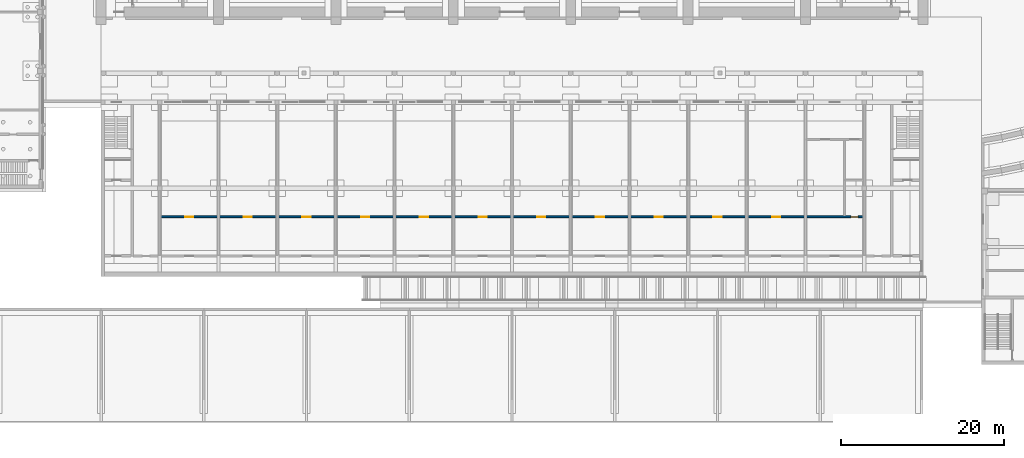
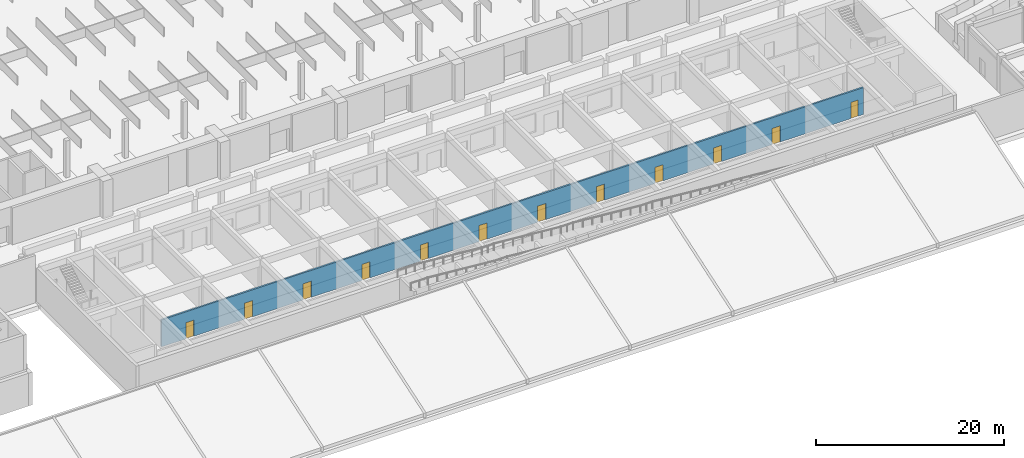
# One storey, part 34 of 73: 12 doors, 1 wall, 12 openings.
"""IFC4 building model written with IfcOpenShell, lengths in metres."""

import ifcopenshell
import ifcopenshell.guid

model = None  # the IFC model being written
_history = None  # IfcOwnerHistory: only IFC2X3 demands one
_inside = {}  # id of a spatial element -> (the spatial element, [elements in it])
_under = {}  # id of a project, library or spatial element -> (it, [spatial elements below it])
_declared = {}  # id of a project -> (the project, [libraries it declares])
_typed = {}  # id of a type object -> (the type object, [elements of that type])
_made_of = {}  # id of a material, layer set ... -> (it, [elements and type objects made of it])


def new_model(schema):
    """Start an empty IFC model of exactly this schema.

    Asked for "IFC4X3", IfcOpenShell would pick the latest addendum, in which some entities
    have other attributes; the version numbers below select the first issue.
    IFC2X3 requires an IfcOwnerHistory on every rooted entity: one is made here for all.
    """
    global model, _history
    if schema == "IFC4X3":
        model = ifcopenshell.file(schema_version=(4, 3, 0, 0))
    else:
        model = ifcopenshell.file(schema=schema)
    _inside.clear()
    _under.clear()
    _declared.clear()
    _typed.clear()
    _made_of.clear()
    _history = None
    if model.schema == "IFC2X3":
        org = make("IfcOrganization", Name="unknown")
        user = make(
            "IfcPersonAndOrganization",
            ThePerson=make("IfcPerson", FamilyName="unknown"),
            TheOrganization=org,
        )
        app = make(
            "IfcApplication",
            ApplicationDeveloper=org,
            Version="unknown",
            ApplicationFullName="unknown",
            ApplicationIdentifier="unknown",
        )
        _history = make(
            "IfcOwnerHistory",
            OwningUser=user,
            OwningApplication=app,
            ChangeAction="ADDED",
            CreationDate=0,
        )
    return model


def make(cls, **values):
    """One entity of the class cls with the attributes given. An attribute that is None is left unset."""
    return model.create_entity(
        cls, **{name: value for name, value in values.items() if value is not None}
    )


def rooted(cls, **values):
    """An entity with a GlobalId (a new one), such as an element, a storey or a relation."""
    return make(cls, GlobalId=ifcopenshell.guid.new(), OwnerHistory=_history, **values)


def si_unit(unit_type, name, prefix=None):
    """IfcSIUnit, for example si_unit("LENGTHUNIT", "METRE", prefix="MILLI")."""
    return make("IfcSIUnit", UnitType=unit_type, Prefix=prefix, Name=name)


def assignment(units):
    """IfcUnitAssignment: the units of a project."""
    return None if units is None else make("IfcUnitAssignment", Units=units)


def point(xyz):
    """IfcCartesianPoint."""
    return None if xyz is None else make("IfcCartesianPoint", Coordinates=xyz)


def direction(xyz):
    """IfcDirection."""
    return None if xyz is None else make("IfcDirection", DirectionRatios=xyz)


def frame(location, z_axis=None, x_axis=None):
    """IfcAxis2Placement3D, a coordinate frame: its origin and axes. An axis left out is left unset."""
    return make(
        "IfcAxis2Placement3D",
        Location=point(location),
        Axis=direction(z_axis),
        RefDirection=direction(x_axis),
    )


def frame_2d(location, x_axis=None):
    """IfcAxis2Placement2D, a coordinate frame in the plane: its origin and x axis."""
    return make(
        "IfcAxis2Placement2D", Location=point(location), RefDirection=direction(x_axis)
    )


def origin():
    """The frame at (0, 0, 0) with its axes left unset."""
    return frame((0.0, 0.0, 0.0))


def place(relative_to, where):
    """IfcLocalPlacement: puts the frame where relative to a parent placement (None: the world)."""
    return make(
        "IfcLocalPlacement", PlacementRelTo=relative_to, RelativePlacement=where
    )


def context(
    kind, dimensions, precision=None, world=None, true_north=None, identifier=None
):
    """IfcGeometricRepresentationContext, for example the 3D "Model" context."""
    return make(
        "IfcGeometricRepresentationContext",
        ContextIdentifier=identifier,
        ContextType=kind,
        CoordinateSpaceDimension=dimensions,
        Precision=precision,
        WorldCoordinateSystem=world,
        TrueNorth=true_north,
    )


def subcontext(parent, identifier, kind, view, scale=None):
    """IfcGeometricRepresentationSubContext, for example "Body" below "Model"."""
    return make(
        "IfcGeometricRepresentationSubContext",
        ContextIdentifier=identifier,
        ContextType=kind,
        ParentContext=parent,
        TargetScale=scale,
        TargetView=view,
    )


def project(units=None, contexts=None):
    """IfcProject with its units and contexts."""
    return rooted(
        "IfcProject",
        Name="project",
        RepresentationContexts=contexts,
        UnitsInContext=assignment(units),
    )


def spatial(cls, under=None, at=None, **own):
    """A site, building, storey or space (cls), placed at a placement, below another one or the project."""
    s = rooted(cls, ObjectPlacement=at, **own)
    if under is not None:
        _under.setdefault(under.id(), (under, []))[1].append(s)
    return s


def profile(cls, at=None, kind="AREA", **sizes):
    """A parametric profile (cls). Its sizes go by their IFC names, for example OverallWidth=200.0."""
    return make(cls, ProfileType=kind, Position=at, **sizes)


def rectangle(**sizes):
    """IfcRectangleProfileDef."""
    return profile("IfcRectangleProfileDef", **sizes)


def extrude(swept, where, along, depth):
    """IfcExtrudedAreaSolid: the profile swept, set in the frame where, extruded along a direction by depth."""
    return make(
        "IfcExtrudedAreaSolid",
        SweptArea=swept,
        Position=where,
        ExtrudedDirection=direction(along),
        Depth=depth,
    )


def shape(context_of_items, identifier, shape_type, items):
    """IfcShapeRepresentation: the items that make up one representation, for example the "Body"."""
    return make(
        "IfcShapeRepresentation",
        ContextOfItems=context_of_items,
        RepresentationIdentifier=identifier,
        RepresentationType=shape_type,
        Items=items,
    )


def material(Name=None, Category=None):
    """IfcMaterial."""
    return make("IfcMaterial", Name=Name, Category=Category)


def layer(
    of_material, thickness, ventilated=None, Name=None, Category=None, Priority=None
):
    """IfcMaterialLayer: one layer of a wall or slab, of a material (None: an air gap)."""
    return make(
        "IfcMaterialLayer",
        Material=of_material,
        LayerThickness=thickness,
        IsVentilated=ventilated,
        Name=Name,
        Category=Category,
        Priority=Priority,
    )


def layer_set(layers, Name=None):
    """IfcMaterialLayerSet."""
    return make("IfcMaterialLayerSet", MaterialLayers=layers, LayerSetName=Name)


def made_of(thing, what):
    """Note that an element or type object is made of a material, layer set ...; save() writes the relation."""
    if what is not None:
        _made_of.setdefault(what.id(), (what, []))[1].append(thing)
    return thing


def type_object(cls, material=None, **own):
    """A type object (cls), such as IfcWallType, which elements share."""
    return made_of(rooted(cls, **own), material)


def element(
    cls,
    number,
    at=None,
    inside=None,
    cuts=None,
    type_object=None,
    material=None,
    context=None,
    identifier="Body",
    shape_type=None,
    held_by="IfcProductDefinitionShape",
    body=None,
    shapes=None,
    **own,
):
    """One element of the class cls, such as IfcWall. Its Tag is "e" and its number.

    at: its placement. inside: the storey or other place that contains it. cuts: it is an
    opening in that element (IfcRelVoidsElement). A single representation is given by context,
    identifier, shape_type and body (its items); several are given by shapes. held_by: the class
    of the entity that holds the representations. save() writes the other relations.
    """
    e = rooted(cls, Tag="e%d" % number, ObjectPlacement=at, **own)
    if body is not None:
        shapes = [shape(context, identifier, shape_type, body)]
    if shapes is not None:
        e.Representation = make(held_by, Representations=shapes)
    if inside is not None:
        _inside.setdefault(inside.id(), (inside, []))[1].append(e)
    if cuts is not None:
        rooted(
            "IfcRelVoidsElement", RelatingBuildingElement=cuts, RelatedOpeningElement=e
        )
    if type_object is not None:
        _typed.setdefault(type_object.id(), (type_object, []))[1].append(e)
    return made_of(e, material)


def fill(opening, filler):
    """IfcRelFillsElement: the door or window that sits in an opening."""
    return rooted(
        "IfcRelFillsElement",
        RelatingOpeningElement=opening,
        RelatedBuildingElement=filler,
    )


def aggregate(whole, parts):
    """IfcRelAggregates: a whole, such as a stair, and the parts it consists of."""
    return rooted("IfcRelAggregates", RelatingObject=whole, RelatedObjects=parts)


def save(model, path):
    """Write the relations noted so far, then the file.

    IfcRelAggregates (storeys below a building ...), IfcRelContainedInSpatialStructure (elements
    in a storey), IfcRelDefinesByType, IfcRelAssociatesMaterial and IfcRelDeclares: one each for
    every whole, place, type object, material and project.
    """
    for whole, parts in _under.values():
        aggregate(whole, parts)
    for where, things in _inside.values():
        rooted(
            "IfcRelContainedInSpatialStructure",
            RelatedElements=things,
            RelatingStructure=where,
        )
    for kind, things in _typed.values():
        rooted("IfcRelDefinesByType", RelatedObjects=things, RelatingType=kind)
    for what, things in _made_of.values():
        rooted("IfcRelAssociatesMaterial", RelatedObjects=things, RelatingMaterial=what)
    for by, libraries in _declared.values():
        rooted("IfcRelDeclares", RelatingContext=by, RelatedDefinitions=libraries)
    model.write(path)


model = new_model("IFC4")

# Units and contexts
model_context = context("Model", 3, precision=1e-05, world=origin(), true_north=direction((0.0, 1.0)))
body_context = subcontext(model_context, "Body", "Model", "MODEL_VIEW")
ifc_project = project(units=[si_unit("LENGTHUNIT", "METRE"), si_unit("AREAUNIT", "SQUARE_METRE"), si_unit("VOLUMEUNIT", "CUBIC_METRE"), si_unit("PLANEANGLEUNIT", "RADIAN"), si_unit("MASSUNIT", "GRAM", prefix="KILO")], contexts=[model_context])

# Site, building, storey
site_placement = place(None, origin())
site = spatial("IfcSite", under=ifc_project, at=site_placement, CompositionType="ELEMENT")
building_placement = place(site_placement, origin())
building = spatial("IfcBuilding", under=site, at=building_placement, Name="Alderwick Market Hall", CompositionType="ELEMENT")
storey_placement = place(building_placement, origin())
storey = spatial("IfcBuildingStorey", under=building, at=storey_placement, Name="LG", CompositionType="ELEMENT", Elevation=0.0)

# Wall, openings, doors
ifc_material_1 = material(Name="Concrete masonry 3000 psi", Category="masonry")
ifc_layer = layer(ifc_material_1, 0.199951171875)
ifc_layer_set = layer_set([ifc_layer], Name="Concrete masonry 3000 psi")
wall_type = type_object("IfcWallType", Name="A Masonry Partition 200", PredefinedType="PARTITIONING", material=ifc_layer_set)
wall_placement = place(storey_placement, frame((57.699951171875, 25.300048828125, 0.0), z_axis=(0.0, 0.0, 1.0), x_axis=(1.0, 0.0, 0.0)))
wall = element("IfcWall", 1, at=wall_placement, inside=storey, type_object=wall_type, Name="A.S.wall.004", PredefinedType="PARTITIONING", context=body_context, shape_type="SweptSolid", body=[
    extrude(rectangle(XDim=86.199951171875, YDim=0.199951171875, at=frame_2d((43.10009765625, 0.0))), origin(), (0.0, 0.0, 1.0), 3.5),
])
opening_1_placement = place(wall_placement, frame((3.0, 0.0, 0.0)))
opening_1 = element("IfcOpeningElement", 2, at=opening_1_placement, cuts=wall, Name="Opening A-D067", PredefinedType="OPENING", context=body_context, shape_type="SweptSolid", body=[
    extrude(rectangle(XDim=1.0, YDim=2.10009765625, at=frame_2d((0.5, 1.050048828125))), frame((0.0, 0.10986328125, 0.0), z_axis=(0.0, -1.0, 0.0), x_axis=(1.0, 0.0, 0.0)), (0.0, 0.0, 1.0), 0.219970703125),
])
opening_2_placement = place(wall_placement, frame((10.199951171875, 0.0, 0.0)))
opening_2 = element("IfcOpeningElement", 3, at=opening_2_placement, cuts=wall, Name="Opening A-D069", PredefinedType="OPENING", context=body_context, shape_type="SweptSolid", body=[
    extrude(rectangle(XDim=1.0, YDim=2.10009765625, at=frame_2d((0.5, 1.050048828125))), frame((0.0, 0.10986328125, 0.0), z_axis=(0.0, -1.0, 0.0), x_axis=(1.0, 0.0, 0.0)), (0.0, 0.0, 1.0), 0.219970703125),
])
opening_3_placement = place(wall_placement, frame((17.39990234375, 0.0, 0.0)))
opening_3 = element("IfcOpeningElement", 4, at=opening_3_placement, cuts=wall, Name="Opening A-D071", PredefinedType="OPENING", context=body_context, shape_type="SweptSolid", body=[
    extrude(rectangle(XDim=1.0, YDim=2.10009765625, at=frame_2d((0.5, 1.050048828125))), frame((0.0, 0.10986328125, 0.0), z_axis=(0.0, -1.0, 0.0), x_axis=(1.0, 0.0, 0.0)), (0.0, 0.0, 1.0), 0.219970703125),
])
opening_4_placement = place(wall_placement, frame((24.60009765625, 0.0, 0.0)))
opening_4 = element("IfcOpeningElement", 5, at=opening_4_placement, cuts=wall, Name="Opening A-D073", PredefinedType="OPENING", context=body_context, shape_type="SweptSolid", body=[
    extrude(rectangle(XDim=1.0, YDim=2.10009765625, at=frame_2d((0.5, 1.050048828125))), frame((0.0, 0.10986328125, 0.0), z_axis=(0.0, -1.0, 0.0), x_axis=(1.0, 0.0, 0.0)), (0.0, 0.0, 1.0), 0.219970703125),
])
opening_5_placement = place(wall_placement, frame((31.800048828125, 0.0, 0.0)))
opening_5 = element("IfcOpeningElement", 6, at=opening_5_placement, cuts=wall, Name="Opening A-D075", PredefinedType="OPENING", context=body_context, shape_type="SweptSolid", body=[
    extrude(rectangle(XDim=1.0, YDim=2.10009765625, at=frame_2d((0.5, 1.050048828125))), frame((0.0, 0.10986328125, 0.0), z_axis=(0.0, -1.0, 0.0), x_axis=(1.0, 0.0, 0.0)), (0.0, 0.0, 1.0), 0.219970703125),
])
opening_6_placement = place(wall_placement, frame((39.0, 0.0, 0.0)))
opening_6 = element("IfcOpeningElement", 7, at=opening_6_placement, cuts=wall, Name="Opening A-D077", PredefinedType="OPENING", context=body_context, shape_type="SweptSolid", body=[
    extrude(rectangle(XDim=1.0, YDim=2.10009765625, at=frame_2d((0.5, 1.050048828125))), frame((0.0, 0.10986328125, 0.0), z_axis=(0.0, -1.0, 0.0), x_axis=(1.0, 0.0, 0.0)), (0.0, 0.0, 1.0), 0.219970703125),
])
opening_7_placement = place(wall_placement, frame((46.199951171875, 0.0, 0.0)))
opening_7 = element("IfcOpeningElement", 8, at=opening_7_placement, cuts=wall, Name="Opening A-D079", PredefinedType="OPENING", context=body_context, shape_type="SweptSolid", body=[
    extrude(rectangle(XDim=1.0, YDim=2.10009765625, at=frame_2d((0.5, 1.050048828125))), frame((0.0, 0.10986328125, 0.0), z_axis=(0.0, -1.0, 0.0), x_axis=(1.0, 0.0, 0.0)), (0.0, 0.0, 1.0), 0.219970703125),
])
opening_8_placement = place(wall_placement, frame((53.39990234375, 0.0, 0.0)))
opening_8 = element("IfcOpeningElement", 9, at=opening_8_placement, cuts=wall, Name="Opening A-D081", PredefinedType="OPENING", context=body_context, shape_type="SweptSolid", body=[
    extrude(rectangle(XDim=1.0, YDim=2.10009765625, at=frame_2d((0.5, 1.050048828125))), frame((0.0, 0.10986328125, 0.0), z_axis=(0.0, -1.0, 0.0), x_axis=(1.0, 0.0, 0.0)), (0.0, 0.0, 1.0), 0.219970703125),
])
opening_9_placement = place(wall_placement, frame((60.60009765625, 0.0, 0.0)))
opening_9 = element("IfcOpeningElement", 10, at=opening_9_placement, cuts=wall, Name="Opening A-D083", PredefinedType="OPENING", context=body_context, shape_type="SweptSolid", body=[
    extrude(rectangle(XDim=1.0, YDim=2.10009765625, at=frame_2d((0.5, 1.050048828125))), frame((0.0, 0.10986328125, 0.0), z_axis=(0.0, -1.0, 0.0), x_axis=(1.0, 0.0, 0.0)), (0.0, 0.0, 1.0), 0.219970703125),
])
opening_10_placement = place(wall_placement, frame((67.800048828125, 0.0, 0.0)))
opening_10 = element("IfcOpeningElement", 11, at=opening_10_placement, cuts=wall, Name="Opening A-D085", PredefinedType="OPENING", context=body_context, shape_type="SweptSolid", body=[
    extrude(rectangle(XDim=1.0, YDim=2.10009765625, at=frame_2d((0.5, 1.050048828125))), frame((0.0, 0.10986328125, 0.0), z_axis=(0.0, -1.0, 0.0), x_axis=(1.0, 0.0, 0.0)), (0.0, 0.0, 1.0), 0.219970703125),
])
opening_11_placement = place(wall_placement, frame((75.0, 0.0, 0.0)))
opening_11 = element("IfcOpeningElement", 12, at=opening_11_placement, cuts=wall, Name="Opening A-D087", PredefinedType="OPENING", context=body_context, shape_type="SweptSolid", body=[
    extrude(rectangle(XDim=1.0, YDim=2.10009765625, at=frame_2d((0.5, 1.050048828125))), frame((0.0, 0.10986328125, 0.0), z_axis=(0.0, -1.0, 0.0), x_axis=(1.0, 0.0, 0.0)), (0.0, 0.0, 1.0), 0.219970703125),
])
opening_12_placement = place(wall_placement, frame((84.64990234375, 0.0, 0.0)))
opening_12 = element("IfcOpeningElement", 13, at=opening_12_placement, cuts=wall, Name="Opening A-D096", PredefinedType="OPENING", context=body_context, shape_type="SweptSolid", body=[
    extrude(rectangle(XDim=0.89990234375, YDim=2.10009765625, at=frame_2d((0.449951171875, 1.050048828125))), frame((0.0, 0.10986328125, 0.0), z_axis=(0.0, -1.0, 0.0), x_axis=(1.0, 0.0, 0.0)), (0.0, 0.0, 1.0), 0.219970703125),
])
ifc_material_2 = material(Name="Hollow metal door and frame")
door_type_1 = type_object("IfcDoorType", Name="A Door 1000x2100", OperationType="SINGLE_SWING_LEFT", PredefinedType="DOOR", material=ifc_material_2)
door_1_placement = place(opening_1_placement, origin())
door_1 = element("IfcDoor", 14, at=door_1_placement, inside=storey, type_object=door_type_1, Name="Cheese Shop to store door", OperationType="SINGLE_SWING_LEFT", OverallHeight=2.10009765625, OverallWidth=1.0, PredefinedType="DOOR", context=body_context, shape_type="SweptSolid", body=[
    extrude(rectangle(XDim=1.0, YDim=2.10009765625, at=frame_2d((0.5, 1.050048828125))), frame((0.0, 0.02490234375, 0.0), z_axis=(0.0, -1.0, 0.0), x_axis=(1.0, 0.0, 0.0)), (0.0, 0.0, 1.0), 0.050048828125),
])
fill(opening_1, door_1)
door_2_placement = place(opening_2_placement, origin())
door_2 = element("IfcDoor", 15, at=door_2_placement, inside=storey, type_object=door_type_1, Name="Wine Shop to store door", OperationType="SINGLE_SWING_LEFT", OverallHeight=2.10009765625, OverallWidth=1.0, PredefinedType="DOOR", context=body_context, shape_type="SweptSolid", body=[
    extrude(rectangle(XDim=1.0, YDim=2.10009765625, at=frame_2d((0.5, 1.050048828125))), frame((0.0, 0.02490234375, 0.0), z_axis=(0.0, -1.0, 0.0), x_axis=(1.0, 0.0, 0.0)), (0.0, 0.0, 1.0), 0.050048828125),
])
fill(opening_2, door_2)
door_3_placement = place(opening_3_placement, origin())
door_3 = element("IfcDoor", 16, at=door_3_placement, inside=storey, type_object=door_type_1, Name="Spice Shop to store door", OperationType="SINGLE_SWING_LEFT", OverallHeight=2.10009765625, OverallWidth=1.0, PredefinedType="DOOR", context=body_context, shape_type="SweptSolid", body=[
    extrude(rectangle(XDim=1.0, YDim=2.10009765625, at=frame_2d((0.5, 1.050048828125))), frame((0.0, 0.02490234375, 0.0), z_axis=(0.0, -1.0, 0.0), x_axis=(1.0, 0.0, 0.0)), (0.0, 0.0, 1.0), 0.050048828125),
])
fill(opening_3, door_3)
door_4_placement = place(opening_4_placement, origin())
door_4 = element("IfcDoor", 17, at=door_4_placement, inside=storey, type_object=door_type_1, Name="Butcher Shop to store door", OperationType="SINGLE_SWING_LEFT", OverallHeight=2.10009765625, OverallWidth=1.0, PredefinedType="DOOR", context=body_context, shape_type="SweptSolid", body=[
    extrude(rectangle(XDim=1.0, YDim=2.10009765625, at=frame_2d((0.5, 1.050048828125))), frame((0.0, 0.02490234375, 0.0), z_axis=(0.0, -1.0, 0.0), x_axis=(1.0, 0.0, 0.0)), (0.0, 0.0, 1.0), 0.050048828125),
])
fill(opening_4, door_4)
door_5_placement = place(opening_5_placement, origin())
door_5 = element("IfcDoor", 18, at=door_5_placement, inside=storey, type_object=door_type_1, Name="Fishmonger Shop to store door", OperationType="SINGLE_SWING_LEFT", OverallHeight=2.10009765625, OverallWidth=1.0, PredefinedType="DOOR", context=body_context, shape_type="SweptSolid", body=[
    extrude(rectangle(XDim=1.0, YDim=2.10009765625, at=frame_2d((0.5, 1.050048828125))), frame((0.0, 0.02490234375, 0.0), z_axis=(0.0, -1.0, 0.0), x_axis=(1.0, 0.0, 0.0)), (0.0, 0.0, 1.0), 0.050048828125),
])
fill(opening_5, door_5)
door_6_placement = place(opening_6_placement, origin())
door_6 = element("IfcDoor", 19, at=door_6_placement, inside=storey, type_object=door_type_1, Name="Bakery Shop to store door", OperationType="SINGLE_SWING_LEFT", OverallHeight=2.10009765625, OverallWidth=1.0, PredefinedType="DOOR", context=body_context, shape_type="SweptSolid", body=[
    extrude(rectangle(XDim=1.0, YDim=2.10009765625, at=frame_2d((0.5, 1.050048828125))), frame((0.0, 0.02490234375, 0.0), z_axis=(0.0, -1.0, 0.0), x_axis=(1.0, 0.0, 0.0)), (0.0, 0.0, 1.0), 0.050048828125),
])
fill(opening_6, door_6)
door_7_placement = place(opening_7_placement, origin())
door_7 = element("IfcDoor", 20, at=door_7_placement, inside=storey, type_object=door_type_1, Name="Tea Shop to store door", OperationType="SINGLE_SWING_LEFT", OverallHeight=2.10009765625, OverallWidth=1.0, PredefinedType="DOOR", context=body_context, shape_type="SweptSolid", body=[
    extrude(rectangle(XDim=1.0, YDim=2.10009765625, at=frame_2d((0.5, 1.050048828125))), frame((0.0, 0.02490234375, 0.0), z_axis=(0.0, -1.0, 0.0), x_axis=(1.0, 0.0, 0.0)), (0.0, 0.0, 1.0), 0.050048828125),
])
fill(opening_7, door_7)
door_8_placement = place(opening_8_placement, origin())
door_8 = element("IfcDoor", 21, at=door_8_placement, inside=storey, type_object=door_type_1, Name="Greengrocer Shop to store door", OperationType="SINGLE_SWING_LEFT", OverallHeight=2.10009765625, OverallWidth=1.0, PredefinedType="DOOR", context=body_context, shape_type="SweptSolid", body=[
    extrude(rectangle(XDim=1.0, YDim=2.10009765625, at=frame_2d((0.5, 1.050048828125))), frame((0.0, 0.02490234375, 0.0), z_axis=(0.0, -1.0, 0.0), x_axis=(1.0, 0.0, 0.0)), (0.0, 0.0, 1.0), 0.050048828125),
])
fill(opening_8, door_8)
door_9_placement = place(opening_9_placement, origin())
door_9 = element("IfcDoor", 22, at=door_9_placement, inside=storey, type_object=door_type_1, Name="Delicatessen Shop to store door", OperationType="SINGLE_SWING_LEFT", OverallHeight=2.10009765625, OverallWidth=1.0, PredefinedType="DOOR", context=body_context, shape_type="SweptSolid", body=[
    extrude(rectangle(XDim=1.0, YDim=2.10009765625, at=frame_2d((0.5, 1.050048828125))), frame((0.0, 0.02490234375, 0.0), z_axis=(0.0, -1.0, 0.0), x_axis=(1.0, 0.0, 0.0)), (0.0, 0.0, 1.0), 0.050048828125),
])
fill(opening_9, door_9)
door_10_placement = place(opening_10_placement, origin())
door_10 = element("IfcDoor", 23, at=door_10_placement, inside=storey, type_object=door_type_1, Name="Kitchenware Shop to store door", OperationType="SINGLE_SWING_LEFT", OverallHeight=2.10009765625, OverallWidth=1.0, PredefinedType="DOOR", context=body_context, shape_type="SweptSolid", body=[
    extrude(rectangle(XDim=1.0, YDim=2.10009765625, at=frame_2d((0.5, 1.050048828125))), frame((0.0, 0.02490234375, 0.0), z_axis=(0.0, -1.0, 0.0), x_axis=(1.0, 0.0, 0.0)), (0.0, 0.0, 1.0), 0.050048828125),
])
fill(opening_10, door_10)
door_11_placement = place(opening_11_placement, origin())
door_11 = element("IfcDoor", 24, at=door_11_placement, inside=storey, type_object=door_type_1, Name="Bookshop to store door", OperationType="SINGLE_SWING_LEFT", OverallHeight=2.10009765625, OverallWidth=1.0, PredefinedType="DOOR", context=body_context, shape_type="SweptSolid", body=[
    extrude(rectangle(XDim=1.0, YDim=2.10009765625, at=frame_2d((0.5, 1.050048828125))), frame((0.0, 0.02490234375, 0.0), z_axis=(0.0, -1.0, 0.0), x_axis=(1.0, 0.0, 0.0)), (0.0, 0.0, 1.0), 0.050048828125),
])
fill(opening_11, door_11)
door_type_2 = type_object("IfcDoorType", Name="A Door 900x2100", OperationType="SINGLE_SWING_LEFT", PredefinedType="DOOR", material=ifc_material_2)
door_12_placement = place(opening_12_placement, origin())
door_12 = element("IfcDoor", 25, at=door_12_placement, inside=storey, type_object=door_type_2, Name="Cleaners store door", OperationType="SINGLE_SWING_RIGHT", OverallHeight=2.10009765625, OverallWidth=0.89990234375, PredefinedType="DOOR", context=body_context, shape_type="SweptSolid", body=[
    extrude(rectangle(XDim=0.89990234375, YDim=2.10009765625, at=frame_2d((0.449951171875, 1.050048828125))), frame((0.0, 0.02490234375, 0.0), z_axis=(0.0, -1.0, 0.0), x_axis=(1.0, 0.0, 0.0)), (0.0, 0.0, 1.0), 0.050048828125),
])
fill(opening_12, door_12)

save(model, "model.ifc")
